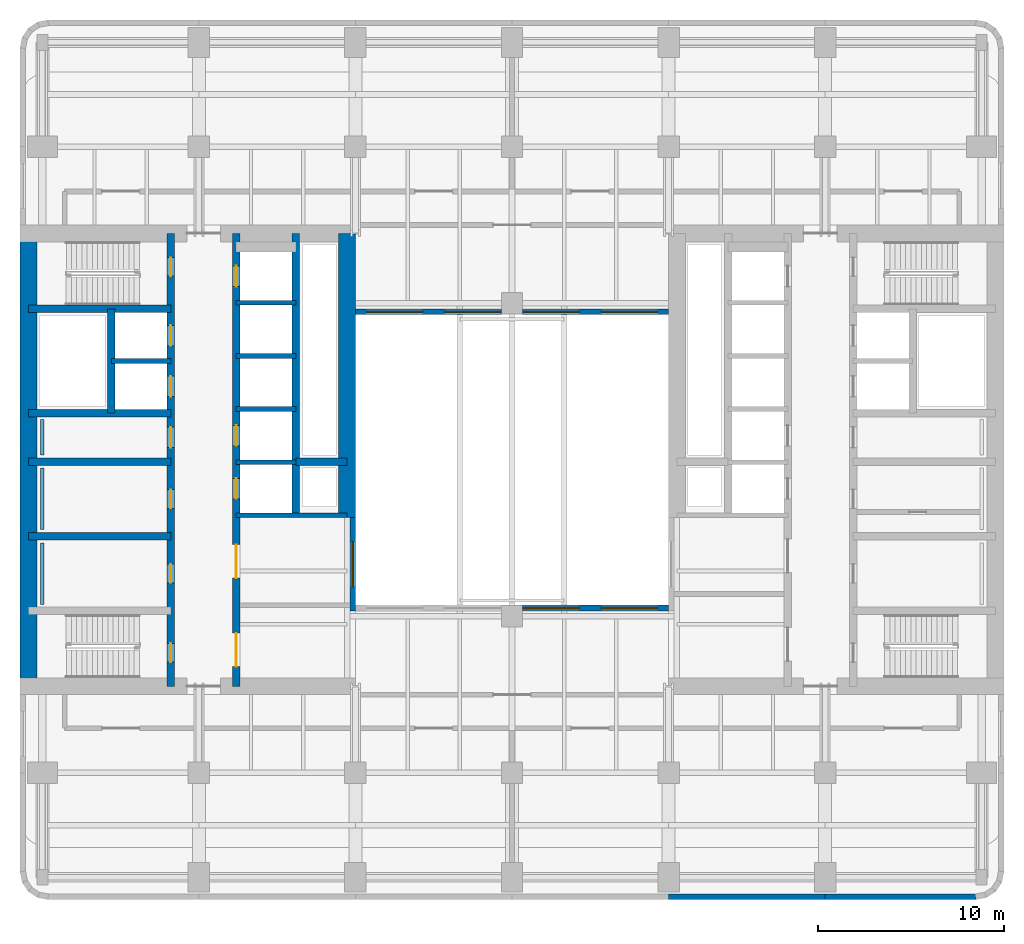
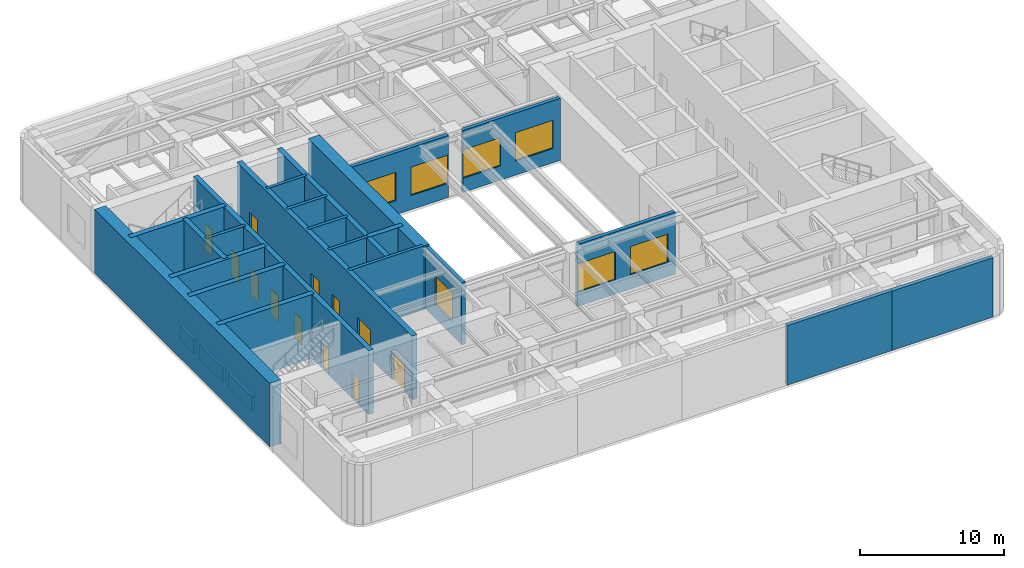
# One storey, part 4 of 10: 26 walls, 12 doors, 7 windows, 19 openings.
"""IFC4 building model written with IfcOpenShell, lengths in metres."""

from ifc_helpers import new_model, si_unit, direction, frame, frame_2d, origin, place, context, subcontext, project, spatial, rectangle, extrude, material, layer, layer_set, type_object, element, fill, save


model = new_model("IFC4")

# Units and contexts
model_context = context("Model", 3, precision=1e-05, world=origin(), true_north=direction((0.0, 1.0)))
body_context = subcontext(model_context, "Body", "Model", "MODEL_VIEW")
ifc_project = project(units=[si_unit("LENGTHUNIT", "METRE"), si_unit("AREAUNIT", "SQUARE_METRE"), si_unit("VOLUMEUNIT", "CUBIC_METRE"), si_unit("PLANEANGLEUNIT", "RADIAN"), si_unit("MASSUNIT", "GRAM", prefix="KILO")], contexts=[model_context])

# Site, building, storey
site_placement = place(None, origin())
site = spatial("IfcSite", under=ifc_project, at=site_placement, CompositionType="ELEMENT")
building_placement = place(site_placement, origin())
building = spatial("IfcBuilding", under=site, at=building_placement, Name="Claustro Exchange Tower", CompositionType="ELEMENT")
storey_placement = place(building_placement, frame((0.0, 0.0, 168.0)))
storey = spatial("IfcBuildingStorey", under=building, at=storey_placement, Name="L38", CompositionType="ELEMENT", Elevation=168.0)

# Walls
ifc_material_1 = material(Name="Concrete HA-40 (C40/50), precast, white cement, acid-etched", Category="concrete")
ifc_layer_1 = layer(ifc_material_1, 0.300048828125)
ifc_layer_set_1 = layer_set([ifc_layer_1], Name="Concrete HA-40 (C40/50), precast, white cement, acid-etched")
wall_type_1 = type_object("IfcWallType", Name="PC1 300 precast concrete pier panel", PredefinedType="SOLIDWALL", material=ifc_layer_set_1)
wall_1_placement = place(storey_placement, frame((50.085205078125, 1.75, 0.0), z_axis=(0.0, 0.0, 1.0), x_axis=(-1.0, 0.0, 0.0)))
element("IfcWall", 1, at=wall_1_placement, inside=storey, type_object=wall_type_1, Name="Precast pier panel PC1 L38", PredefinedType="SOLIDWALL", context=body_context, shape_type="SweptSolid", body=[
    extrude(rectangle(XDim=8.085205078125, YDim=0.300048828125, at=frame_2d((4.04248046875, 0.0))), origin(), (0.0, 0.0, 1.0), 5.0400390625),
])
wall_2_placement = place(storey_placement, frame((42.0, 1.75, 0.0), z_axis=(0.0, 0.0, 1.0), x_axis=(-1.0, 0.0, 0.0)))
element("IfcWall", 2, at=wall_2_placement, inside=storey, type_object=wall_type_1, Name="Precast pier panel PC1 L38", PredefinedType="SOLIDWALL", context=body_context, shape_type="SweptSolid", body=[
    extrude(rectangle(XDim=8.39990234375, YDim=0.300048828125, at=frame_2d((4.199951171875, 0.0))), origin(), (0.0, 0.0, 1.0), 5.0400390625),
])

# Wall, opening, window
wall_3_placement = place(storey_placement, frame((16.64990234375, 17.10009765625, 0.0), z_axis=(0.0, 0.0, 1.0), x_axis=(0.0, 1.0, 0.0)))
wall_3 = element("IfcWall", 3, at=wall_3_placement, inside=storey, type_object=wall_type_1, Name="Precast pier panel PC1 L38", PredefinedType="SOLIDWALL", context=body_context, shape_type="SweptSolid", body=[
    extrude(rectangle(XDim=5.0, YDim=0.300048828125, at=frame_2d((2.5, 0.0))), origin(), (0.0, 0.0, 1.0), 5.25),
])
opening_1_placement = place(wall_3_placement, frame((1.300048828125, 0.0, 1.199951171875)))
opening_1 = element("IfcOpeningElement", 4, at=opening_1_placement, cuts=wall_3, Name="Opening L2", PredefinedType="OPENING", context=body_context, shape_type="SweptSolid", body=[
    extrude(rectangle(XDim=2.39990234375, YDim=2.39990234375, at=frame_2d((1.199951171875, 1.199951171875))), frame((0.0, 0.159912109375, 0.0), z_axis=(0.0, -1.0, 0.0), x_axis=(1.0, 0.0, 0.0)), (0.0, 0.0, 1.0), 0.320068359375),
])
ifc_material_2 = material(Name="Aluminium louvre blades", Category="aluminium")
window_type_1 = type_object("IfcWindowType", Name="L2 2400 x 2400 plant louvre", PartitioningType="SINGLE_PANEL", PredefinedType="USERDEFINED", material=ifc_material_2)
window_1_placement = place(opening_1_placement, origin())
window_1 = element("IfcWindow", 5, at=window_1_placement, inside=storey, type_object=window_type_1, Name="Plant louvre L2 L38", ObjectType="LOUVRE", OverallHeight=2.39990234375, OverallWidth=2.39990234375, PartitioningType="SINGLE_PANEL", PredefinedType="USERDEFINED", context=body_context, shape_type="SweptSolid", body=[
    extrude(rectangle(XDim=2.39990234375, YDim=2.39990234375, at=frame_2d((1.199951171875, 1.199951171875))), frame((0.0, 0.030029296875, 0.0), z_axis=(0.0, -1.0, 0.0), x_axis=(1.0, 0.0, 0.0)), (0.0, 0.0, 1.0), 0.06005859375),
])
fill(opening_1, window_1)

# Wall, openings, windows
wall_4_placement = place(storey_placement, frame((25.77490234375, 17.25, 0.0), z_axis=(0.0, 0.0, 1.0), x_axis=(1.0, 0.0, 0.0)))
wall_4 = element("IfcWall", 6, at=wall_4_placement, inside=storey, type_object=wall_type_1, Name="Precast pier panel PC1 L38", PredefinedType="SOLIDWALL", context=body_context, shape_type="SweptSolid", body=[
    extrude(rectangle(XDim=7.8251953125, YDim=0.300048828125, at=frame_2d((3.91259765625, 0.0))), origin(), (0.0, 0.0, 1.0), 5.25),
])
opening_2_placement = place(wall_4_placement, frame((0.02490234375, 0.0, 1.199951171875)))
opening_2 = element("IfcOpeningElement", 7, at=opening_2_placement, cuts=wall_4, Name="Opening L1", PredefinedType="OPENING", context=body_context, shape_type="SweptSolid", body=[
    extrude(rectangle(XDim=3.0, YDim=2.39990234375, at=frame_2d((1.5, 1.199951171875))), frame((0.0, 0.159912109375, 0.0), z_axis=(0.0, -1.0, 0.0), x_axis=(1.0, 0.0, 0.0)), (0.0, 0.0, 1.0), 0.320068359375),
])
opening_3_placement = place(wall_4_placement, frame((4.22509765625, 0.0, 1.199951171875)))
opening_3 = element("IfcOpeningElement", 8, at=opening_3_placement, cuts=wall_4, Name="Opening L1", PredefinedType="OPENING", context=body_context, shape_type="SweptSolid", body=[
    extrude(rectangle(XDim=3.0, YDim=2.39990234375, at=frame_2d((1.5, 1.199951171875))), frame((0.0, 0.159912109375, 0.0), z_axis=(0.0, -1.0, 0.0), x_axis=(1.0, 0.0, 0.0)), (0.0, 0.0, 1.0), 0.320068359375),
])
ifc_material_3 = material(Name="Aluminium louvre blades", Category="aluminium")
window_type_2 = type_object("IfcWindowType", Name="L1 3000 x 2400 plant louvre", PartitioningType="SINGLE_PANEL", PredefinedType="USERDEFINED", material=ifc_material_3)
window_2_placement = place(opening_2_placement, origin())
window_2 = element("IfcWindow", 9, at=window_2_placement, inside=storey, type_object=window_type_2, Name="Plant louvre L1 L38", ObjectType="LOUVRE", OverallHeight=2.39990234375, OverallWidth=3.0, PartitioningType="SINGLE_PANEL", PredefinedType="USERDEFINED", context=body_context, shape_type="SweptSolid", body=[
    extrude(rectangle(XDim=3.0, YDim=2.39990234375, at=frame_2d((1.5, 1.199951171875))), frame((0.0, 0.030029296875, 0.0), z_axis=(0.0, -1.0, 0.0), x_axis=(1.0, 0.0, 0.0)), (0.0, 0.0, 1.0), 0.06005859375),
])
fill(opening_2, window_2)
window_3_placement = place(opening_3_placement, origin())
window_3 = element("IfcWindow", 10, at=window_3_placement, inside=storey, type_object=window_type_2, Name="Plant louvre L1 L38", ObjectType="LOUVRE", OverallHeight=2.39990234375, OverallWidth=3.0, PartitioningType="SINGLE_PANEL", PredefinedType="USERDEFINED", context=body_context, shape_type="SweptSolid", body=[
    extrude(rectangle(XDim=3.0, YDim=2.39990234375, at=frame_2d((1.5, 1.199951171875))), frame((0.0, 0.030029296875, 0.0), z_axis=(0.0, -1.0, 0.0), x_axis=(1.0, 0.0, 0.0)), (0.0, 0.0, 1.0), 0.06005859375),
])
fill(opening_3, window_3)

wall_5_placement = place(storey_placement, frame((16.800048828125, 33.14990234375, 0.0), z_axis=(0.0, 0.0, 1.0), x_axis=(1.0, 0.0, 0.0)))
wall_5 = element("IfcWall", 11, at=wall_5_placement, inside=storey, type_object=wall_type_1, Name="Precast pier panel PC1 L38", PredefinedType="SOLIDWALL", context=body_context, shape_type="SweptSolid", body=[
    extrude(rectangle(XDim=7.824951171875, YDim=0.300048828125, at=frame_2d((3.91259765625, 0.0))), origin(), (0.0, 0.0, 1.0), 5.25),
])
opening_4_placement = place(wall_5_placement, frame((0.60009765625, 0.0, 1.199951171875)))
opening_4 = element("IfcOpeningElement", 12, at=opening_4_placement, cuts=wall_5, Name="Opening L1", PredefinedType="OPENING", context=body_context, shape_type="SweptSolid", body=[
    extrude(rectangle(XDim=3.0, YDim=2.39990234375, at=frame_2d((1.5, 1.199951171875))), frame((0.0, 0.159912109375, 0.0), z_axis=(0.0, -1.0, 0.0), x_axis=(1.0, 0.0, 0.0)), (0.0, 0.0, 1.0), 0.320068359375),
])
opening_5_placement = place(wall_5_placement, frame((4.800048828125, 0.0, 1.199951171875)))
opening_5 = element("IfcOpeningElement", 13, at=opening_5_placement, cuts=wall_5, Name="Opening L1", PredefinedType="OPENING", context=body_context, shape_type="SweptSolid", body=[
    extrude(rectangle(XDim=3.0, YDim=2.39990234375, at=frame_2d((1.5, 1.199951171875))), frame((0.0, 0.159912109375, 0.0), z_axis=(0.0, -1.0, 0.0), x_axis=(1.0, 0.0, 0.0)), (0.0, 0.0, 1.0), 0.320068359375),
])
window_4_placement = place(opening_4_placement, origin())
window_4 = element("IfcWindow", 14, at=window_4_placement, inside=storey, type_object=window_type_2, Name="Plant louvre L1 L38", ObjectType="LOUVRE", OverallHeight=2.39990234375, OverallWidth=3.0, PartitioningType="SINGLE_PANEL", PredefinedType="USERDEFINED", context=body_context, shape_type="SweptSolid", body=[
    extrude(rectangle(XDim=3.0, YDim=2.39990234375, at=frame_2d((1.5, 1.199951171875))), frame((0.0, 0.030029296875, 0.0), z_axis=(0.0, -1.0, 0.0), x_axis=(1.0, 0.0, 0.0)), (0.0, 0.0, 1.0), 0.06005859375),
])
fill(opening_4, window_4)
window_5_placement = place(opening_5_placement, origin())
window_5 = element("IfcWindow", 15, at=window_5_placement, inside=storey, type_object=window_type_2, Name="Plant louvre L1 L38", ObjectType="LOUVRE", OverallHeight=2.39990234375, OverallWidth=3.0, PartitioningType="SINGLE_PANEL", PredefinedType="USERDEFINED", context=body_context, shape_type="SweptSolid", body=[
    extrude(rectangle(XDim=3.0, YDim=2.39990234375, at=frame_2d((1.5, 1.199951171875))), frame((0.0, 0.030029296875, 0.0), z_axis=(0.0, -1.0, 0.0), x_axis=(1.0, 0.0, 0.0)), (0.0, 0.0, 1.0), 0.06005859375),
])
fill(opening_5, window_5)

wall_6_placement = place(storey_placement, frame((25.77490234375, 33.14990234375, 0.0), z_axis=(0.0, 0.0, 1.0), x_axis=(1.0, 0.0, 0.0)))
wall_6 = element("IfcWall", 16, at=wall_6_placement, inside=storey, type_object=wall_type_1, Name="Precast pier panel PC1 L38", PredefinedType="SOLIDWALL", context=body_context, shape_type="SweptSolid", body=[
    extrude(rectangle(XDim=7.8251953125, YDim=0.300048828125, at=frame_2d((3.91259765625, 0.0))), origin(), (0.0, 0.0, 1.0), 5.25),
])
opening_6_placement = place(wall_6_placement, frame((0.02490234375, 0.0, 1.199951171875)))
opening_6 = element("IfcOpeningElement", 17, at=opening_6_placement, cuts=wall_6, Name="Opening L1", PredefinedType="OPENING", context=body_context, shape_type="SweptSolid", body=[
    extrude(rectangle(XDim=3.0, YDim=2.39990234375, at=frame_2d((1.5, 1.199951171875))), frame((0.0, 0.159912109375, 0.0), z_axis=(0.0, -1.0, 0.0), x_axis=(1.0, 0.0, 0.0)), (0.0, 0.0, 1.0), 0.320068359375),
])
opening_7_placement = place(wall_6_placement, frame((4.22509765625, 0.0, 1.199951171875)))
opening_7 = element("IfcOpeningElement", 18, at=opening_7_placement, cuts=wall_6, Name="Opening L1", PredefinedType="OPENING", context=body_context, shape_type="SweptSolid", body=[
    extrude(rectangle(XDim=3.0, YDim=2.39990234375, at=frame_2d((1.5, 1.199951171875))), frame((0.0, 0.159912109375, 0.0), z_axis=(0.0, -1.0, 0.0), x_axis=(1.0, 0.0, 0.0)), (0.0, 0.0, 1.0), 0.320068359375),
])
window_6_placement = place(opening_6_placement, origin())
window_6 = element("IfcWindow", 19, at=window_6_placement, inside=storey, type_object=window_type_2, Name="Plant louvre L1 L38", ObjectType="LOUVRE", OverallHeight=2.39990234375, OverallWidth=3.0, PartitioningType="SINGLE_PANEL", PredefinedType="USERDEFINED", context=body_context, shape_type="SweptSolid", body=[
    extrude(rectangle(XDim=3.0, YDim=2.39990234375, at=frame_2d((1.5, 1.199951171875))), frame((0.0, 0.030029296875, 0.0), z_axis=(0.0, -1.0, 0.0), x_axis=(1.0, 0.0, 0.0)), (0.0, 0.0, 1.0), 0.06005859375),
])
fill(opening_6, window_6)
window_7_placement = place(opening_7_placement, origin())
window_7 = element("IfcWindow", 20, at=window_7_placement, inside=storey, type_object=window_type_2, Name="Plant louvre L1 L38", ObjectType="LOUVRE", OverallHeight=2.39990234375, OverallWidth=3.0, PartitioningType="SINGLE_PANEL", PredefinedType="USERDEFINED", context=body_context, shape_type="SweptSolid", body=[
    extrude(rectangle(XDim=3.0, YDim=2.39990234375, at=frame_2d((1.5, 1.199951171875))), frame((0.0, 0.030029296875, 0.0), z_axis=(0.0, -1.0, 0.0), x_axis=(1.0, 0.0, 0.0)), (0.0, 0.0, 1.0), 0.06005859375),
])
fill(opening_7, window_7)

# Walls
ifc_material_4 = material(Name="Gypsum board on steel studs, tiled", Category="steel")
ifc_layer_2 = layer(ifc_material_4, 0.199951171875)
ifc_layer_set_2 = layer_set([ifc_layer_2], Name="Gypsum board on steel studs, tiled")
wall_type_2 = type_object("IfcWallType", Name="PW1 200 WC duct wall", PredefinedType="PLUMBINGWALL", material=ifc_layer_set_2)
for number, where, z_axis, x_axis, name in (
    (21, (0.0, 17.449951171875, 0.0), (0.0, 0.0, 1.0), (0.0, 1.0, 0.0), "WC duct wall PW1 L38"),
    (22, (0.0, 21.449951171875, 0.0), (0.0, 0.0, 1.0), (0.0, 1.0, 0.0), "WC duct wall PW1 L38"),
):
    element("IfcWall", number, at=place(storey_placement, frame(where, z_axis=z_axis, x_axis=x_axis)), inside=storey, type_object=wall_type_2, Name=name, PredefinedType="PLUMBINGWALL", context=body_context, shape_type="SweptSolid", body=[
        extrude(rectangle(XDim=3.300048828125, YDim=0.199951171875, at=frame_2d((1.64990234375, 0.0))), origin(), (0.0, 0.0, 1.0), 1.199951171875),
    ])
wall_7_placement = place(storey_placement, frame((0.0, 25.449951171875, 0.0), z_axis=(0.0, 0.0, 1.0), x_axis=(0.0, 1.0, 0.0)))
element("IfcWall", 23, at=wall_7_placement, inside=storey, type_object=wall_type_2, Name="WC duct wall PW1 L38", PredefinedType="PLUMBINGWALL", context=body_context, shape_type="SweptSolid", body=[
    extrude(rectangle(XDim=1.900146484375, YDim=0.199951171875, at=frame_2d((0.9501953125, 0.0))), origin(), (0.0, 0.0, 1.0), 1.199951171875),
])
ifc_material_5 = material(Name="Concrete HA-70 (C70/85)", Category="concrete")
ifc_layer_3 = layer(ifc_material_5, 0.89990234375)
ifc_layer_set_3 = layer_set([ifc_layer_3], Name="Concrete HA-70 (C70/85)")
wall_type_3 = type_object("IfcWallType", Name="SW1X 900 exposed core shear wall, board-marked face", PredefinedType="SHEAR", material=ifc_layer_set_3)
wall_8_placement = place(storey_placement, frame((-0.75, 13.050048828125, 0.0), z_axis=(0.0, 0.0, 1.0), x_axis=(0.0, 1.0, 0.0)))
element("IfcWall", 24, at=wall_8_placement, inside=storey, type_object=wall_type_3, Name="Core wall SW1X W core W face L38", PredefinedType="SHEAR", context=body_context, shape_type="SweptSolid", body=[
    extrude(rectangle(XDim=24.300048828125, YDim=0.89990234375, at=frame_2d((12.14990234375, 0.0))), origin(), (0.0, 0.0, 1.0), 5.39990234375),
])
wall_9_placement = place(storey_placement, frame((16.35009765625, 22.10009765625, 0.0), z_axis=(0.0, 0.0, 1.0), x_axis=(0.0, 1.0, 0.0)))
element("IfcWall", 25, at=wall_9_placement, inside=storey, type_object=wall_type_3, Name="Core wall SW1X W core E face L38", PredefinedType="SHEAR", context=body_context, shape_type="SweptSolid", body=[
    extrude(rectangle(XDim=15.25, YDim=0.89990234375, at=frame_2d((7.625, 0.0))), origin(), (0.0, 0.0, 1.0), 5.39990234375),
])

# Wall, openings, doors
ifc_material_6 = material(Name="Concrete HA-50 (C50/60)", Category="concrete")
ifc_layer_4 = layer(ifc_material_6, 0.39990234375)
ifc_layer_set_4 = layer_set([ifc_layer_4], Name="Concrete HA-50 (C50/60)")
wall_type_4 = type_object("IfcWallType", Name="SW4 400 internal core wall", PredefinedType="SHEAR", material=ifc_layer_set_4)
wall_10_placement = place(storey_placement, frame((6.89990234375, 13.050048828125, 0.0), z_axis=(0.0, 0.0, 1.0), x_axis=(0.0, 1.0, 0.0)))
wall_10 = element("IfcWall", 26, at=wall_10_placement, inside=storey, type_object=wall_type_4, Name="Internal core wall SW4 W core L38", PredefinedType="SHEAR", context=body_context, shape_type="SweptSolid", body=[
    extrude(rectangle(XDim=24.300048828125, YDim=0.39990234375, at=frame_2d((12.14990234375, 0.0))), origin(), (0.0, 0.0, 1.0), 5.39990234375),
])
opening_8_placement = place(wall_10_placement, frame((1.300048828125, 0.0, 0.0)))
opening_8 = element("IfcOpeningElement", 27, at=opening_8_placement, cuts=wall_10, Name="Opening D4", PredefinedType="OPENING", context=body_context, shape_type="SweptSolid", body=[
    extrude(rectangle(XDim=1.0, YDim=2.199951171875, at=frame_2d((0.5, 1.10009765625))), frame((0.0, 0.2099609375, 0.0), z_axis=(0.0, -1.0, 0.0), x_axis=(1.0, 0.0, 0.0)), (0.0, 0.0, 1.0), 0.419921875),
])
opening_9_placement = place(wall_10_placement, frame((22.0, 0.0, 0.0)))
opening_9 = element("IfcOpeningElement", 28, at=opening_9_placement, cuts=wall_10, Name="Opening D4", PredefinedType="OPENING", context=body_context, shape_type="SweptSolid", body=[
    extrude(rectangle(XDim=1.0, YDim=2.199951171875, at=frame_2d((0.5, 1.10009765625))), frame((0.0, 0.2099609375, 0.0), z_axis=(0.0, -1.0, 0.0), x_axis=(1.0, 0.0, 0.0)), (0.0, 0.0, 1.0), 0.419921875),
])
opening_10_placement = place(wall_10_placement, frame((5.550048828125, 0.0, 0.0)))
opening_10 = element("IfcOpeningElement", 29, at=opening_10_placement, cuts=wall_10, Name="Opening D1", PredefinedType="OPENING", context=body_context, shape_type="SweptSolid", body=[
    extrude(rectangle(XDim=1.0, YDim=2.199951171875, at=frame_2d((0.5, 1.10009765625))), frame((0.0, 0.2099609375, 0.0), z_axis=(0.0, -1.0, 0.0), x_axis=(1.0, 0.0, 0.0)), (0.0, 0.0, 1.0), 0.419921875),
])
opening_11_placement = place(wall_10_placement, frame((9.550048828125, 0.0, 0.0)))
opening_11 = element("IfcOpeningElement", 30, at=opening_11_placement, cuts=wall_10, Name="Opening D1", PredefinedType="OPENING", context=body_context, shape_type="SweptSolid", body=[
    extrude(rectangle(XDim=1.0, YDim=2.199951171875, at=frame_2d((0.5, 1.10009765625))), frame((0.0, 0.2099609375, 0.0), z_axis=(0.0, -1.0, 0.0), x_axis=(1.0, 0.0, 0.0)), (0.0, 0.0, 1.0), 0.419921875),
])
opening_12_placement = place(wall_10_placement, frame((12.800048828125, 0.0, 0.0)))
opening_12 = element("IfcOpeningElement", 31, at=opening_12_placement, cuts=wall_10, Name="Opening D10", PredefinedType="OPENING", context=body_context, shape_type="SweptSolid", body=[
    extrude(rectangle(XDim=1.10009765625, YDim=2.199951171875, at=frame_2d((0.550048828125, 1.10009765625))), frame((0.0, 0.2099609375, 0.0), z_axis=(0.0, -1.0, 0.0), x_axis=(1.0, 0.0, 0.0)), (0.0, 0.0, 1.0), 0.419921875),
])
opening_13_placement = place(wall_10_placement, frame((15.53759765625, 0.0, 0.0)))
opening_13 = element("IfcOpeningElement", 32, at=opening_13_placement, cuts=wall_10, Name="Opening LD", PredefinedType="OPENING", context=body_context, shape_type="SweptSolid", body=[
    extrude(rectangle(XDim=1.10009765625, YDim=2.199951171875, at=frame_2d((0.550048828125, 1.10009765625))), frame((0.0, 0.2099609375, 0.0), z_axis=(0.0, -1.0, 0.0), x_axis=(1.0, 0.0, 0.0)), (0.0, 0.0, 1.0), 0.419921875),
])
opening_14_placement = place(wall_10_placement, frame((18.262451171875, 0.0, 0.0)))
opening_14 = element("IfcOpeningElement", 33, at=opening_14_placement, cuts=wall_10, Name="Opening LD", PredefinedType="OPENING", context=body_context, shape_type="SweptSolid", body=[
    extrude(rectangle(XDim=1.10009765625, YDim=2.199951171875, at=frame_2d((0.550048828125, 1.10009765625))), frame((0.0, 0.2099609375, 0.0), z_axis=(0.0, -1.0, 0.0), x_axis=(1.0, 0.0, 0.0)), (0.0, 0.0, 1.0), 0.419921875),
])
ifc_material_7 = material(Name="Timber door, oak veneer", Category="wood")
door_type_1 = type_object("IfcDoorType", Name="D1 1000 x 2200 single door", OperationType="SINGLE_SWING_LEFT", PredefinedType="DOOR", material=ifc_material_7)
door_1_placement = place(opening_10_placement, origin())
door_1 = element("IfcDoor", 34, at=door_1_placement, inside=storey, type_object=door_type_1, Name="Door D1 L38", OperationType="SINGLE_SWING_RIGHT", OverallHeight=2.199951171875, OverallWidth=1.0, PredefinedType="DOOR", context=body_context, shape_type="SweptSolid", body=[
    extrude(rectangle(XDim=1.0, YDim=2.199951171875, at=frame_2d((0.5, 1.10009765625))), frame((0.0, 0.02490234375, 0.0), z_axis=(0.0, -1.0, 0.0), x_axis=(1.0, 0.0, 0.0)), (0.0, 0.0, 1.0), 0.050048828125),
])
fill(opening_10, door_1)
door_2_placement = place(opening_11_placement, origin())
door_2 = element("IfcDoor", 35, at=door_2_placement, inside=storey, type_object=door_type_1, Name="Door D1 L38", OperationType="SINGLE_SWING_RIGHT", OverallHeight=2.199951171875, OverallWidth=1.0, PredefinedType="DOOR", context=body_context, shape_type="SweptSolid", body=[
    extrude(rectangle(XDim=1.0, YDim=2.199951171875, at=frame_2d((0.5, 1.10009765625))), frame((0.0, 0.02490234375, 0.0), z_axis=(0.0, -1.0, 0.0), x_axis=(1.0, 0.0, 0.0)), (0.0, 0.0, 1.0), 0.050048828125),
])
fill(opening_11, door_2)
ifc_material_8 = material(Name="Timber door, oak veneer", Category="wood")
door_type_2 = type_object("IfcDoorType", Name="D10 1100 x 2200 accessible WC door", OperationType="SINGLE_SWING_LEFT", PredefinedType="DOOR", material=ifc_material_8)
door_3_placement = place(opening_12_placement, frame((1.10009765625, 0.0, 0.0), z_axis=(0.0, 0.0, 1.0), x_axis=(-1.0, 0.0, 0.0)))
door_3 = element("IfcDoor", 36, at=door_3_placement, inside=storey, type_object=door_type_2, Name="Accessible WC door D10 L38", OperationType="SINGLE_SWING_LEFT", OverallHeight=2.199951171875, OverallWidth=1.10009765625, PredefinedType="DOOR", context=body_context, shape_type="SweptSolid", body=[
    extrude(rectangle(XDim=1.10009765625, YDim=2.199951171875, at=frame_2d((0.550048828125, 1.10009765625))), frame((0.0, 0.02490234375, 0.0), z_axis=(0.0, -1.0, 0.0), x_axis=(1.0, 0.0, 0.0)), (0.0, 0.0, 1.0), 0.050048828125),
])
fill(opening_12, door_3)
ifc_material_9 = material(Name="Steel fire door, painted", Category="steel")
door_type_3 = type_object("IfcDoorType", Name="D4 1000 x 2200 fire-rated stair door", OperationType="SINGLE_SWING_LEFT", PredefinedType="DOOR", material=ifc_material_9)
door_4_placement = place(opening_8_placement, origin())
door_4 = element("IfcDoor", 37, at=door_4_placement, inside=storey, type_object=door_type_3, Name="Stair door D4 L38", OperationType="SINGLE_SWING_LEFT", OverallHeight=2.199951171875, OverallWidth=1.0, PredefinedType="DOOR", context=body_context, shape_type="SweptSolid", body=[
    extrude(rectangle(XDim=1.0, YDim=2.199951171875, at=frame_2d((0.5, 1.10009765625))), frame((0.0, 0.02490234375, 0.0), z_axis=(0.0, -1.0, 0.0), x_axis=(1.0, 0.0, 0.0)), (0.0, 0.0, 1.0), 0.050048828125),
])
fill(opening_8, door_4)
door_5_placement = place(opening_9_placement, origin())
door_5 = element("IfcDoor", 38, at=door_5_placement, inside=storey, type_object=door_type_3, Name="Stair door D4 L38", OperationType="SINGLE_SWING_RIGHT", OverallHeight=2.199951171875, OverallWidth=1.0, PredefinedType="DOOR", context=body_context, shape_type="SweptSolid", body=[
    extrude(rectangle(XDim=1.0, YDim=2.199951171875, at=frame_2d((0.5, 1.10009765625))), frame((0.0, 0.02490234375, 0.0), z_axis=(0.0, -1.0, 0.0), x_axis=(1.0, 0.0, 0.0)), (0.0, 0.0, 1.0), 0.050048828125),
])
fill(opening_9, door_5)
ifc_material_10 = material(Name="Stainless steel sliding door", Category="steel")
door_type_4 = type_object("IfcDoorType", Name="LD 1100 x 2200 lift landing door", OperationType="DOUBLE_DOOR_SLIDING", PredefinedType="DOOR", material=ifc_material_10)
door_6_placement = place(opening_13_placement, origin())
door_6 = element("IfcDoor", 39, at=door_6_placement, inside=storey, type_object=door_type_4, Name="Lift landing door LEW1 LD L38", OperationType="DOUBLE_DOOR_SLIDING", OverallHeight=2.199951171875, OverallWidth=1.10009765625, PredefinedType="DOOR", context=body_context, shape_type="SweptSolid", body=[
    extrude(rectangle(XDim=1.10009765625, YDim=2.199951171875, at=frame_2d((0.550048828125, 1.10009765625))), frame((0.0, 0.02490234375, 0.0), z_axis=(0.0, -1.0, 0.0), x_axis=(1.0, 0.0, 0.0)), (0.0, 0.0, 1.0), 0.050048828125),
])
fill(opening_13, door_6)
door_7_placement = place(opening_14_placement, origin())
door_7 = element("IfcDoor", 40, at=door_7_placement, inside=storey, type_object=door_type_4, Name="Lift landing door LEW2 LD L38", OperationType="DOUBLE_DOOR_SLIDING", OverallHeight=2.199951171875, OverallWidth=1.10009765625, PredefinedType="DOOR", context=body_context, shape_type="SweptSolid", body=[
    extrude(rectangle(XDim=1.10009765625, YDim=2.199951171875, at=frame_2d((0.550048828125, 1.10009765625))), frame((0.0, 0.02490234375, 0.0), z_axis=(0.0, -1.0, 0.0), x_axis=(1.0, 0.0, 0.0)), (0.0, 0.0, 1.0), 0.050048828125),
])
fill(opening_14, door_7)

wall_11_placement = place(storey_placement, frame((10.39990234375, 13.050048828125, 0.0), z_axis=(0.0, 0.0, 1.0), x_axis=(0.0, 1.0, 0.0)))
wall_11 = element("IfcWall", 41, at=wall_11_placement, inside=storey, type_object=wall_type_4, Name="Internal core wall SW4 W core L38", PredefinedType="SHEAR", context=body_context, shape_type="SweptSolid", body=[
    extrude(rectangle(XDim=24.300048828125, YDim=0.39990234375, at=frame_2d((12.14990234375, 0.0))), origin(), (0.0, 0.0, 1.0), 5.39990234375),
])
opening_15_placement = place(wall_11_placement, frame((10.050048828125, 0.0, 0.0)))
opening_15 = element("IfcOpeningElement", 42, at=opening_15_placement, cuts=wall_11, Name="Opening LD", PredefinedType="OPENING", context=body_context, shape_type="SweptSolid", body=[
    extrude(rectangle(XDim=1.10009765625, YDim=2.199951171875, at=frame_2d((0.550048828125, 1.10009765625))), frame((0.0, 0.2099609375, 0.0), z_axis=(0.0, -1.0, 0.0), x_axis=(1.0, 0.0, 0.0)), (0.0, 0.0, 1.0), 0.419921875),
])
opening_16_placement = place(wall_11_placement, frame((12.89990234375, 0.0, 0.0)))
opening_16 = element("IfcOpeningElement", 43, at=opening_16_placement, cuts=wall_11, Name="Opening LD", PredefinedType="OPENING", context=body_context, shape_type="SweptSolid", body=[
    extrude(rectangle(XDim=1.10009765625, YDim=2.199951171875, at=frame_2d((0.550048828125, 1.10009765625))), frame((0.0, 0.2099609375, 0.0), z_axis=(0.0, -1.0, 0.0), x_axis=(1.0, 0.0, 0.0)), (0.0, 0.0, 1.0), 0.419921875),
])
opening_17_placement = place(wall_11_placement, frame((21.449951171875, 0.0, 0.0)))
opening_17 = element("IfcOpeningElement", 44, at=opening_17_placement, cuts=wall_11, Name="Opening LD", PredefinedType="OPENING", context=body_context, shape_type="SweptSolid", body=[
    extrude(rectangle(XDim=1.10009765625, YDim=2.199951171875, at=frame_2d((0.550048828125, 1.10009765625))), frame((0.0, 0.2099609375, 0.0), z_axis=(0.0, -1.0, 0.0), x_axis=(1.0, 0.0, 0.0)), (0.0, 0.0, 1.0), 0.419921875),
])
opening_18_placement = place(wall_11_placement, frame((5.800048828125, 0.0, 0.0)))
opening_18 = element("IfcOpeningElement", 45, at=opening_18_placement, cuts=wall_11, Name="Opening D3", PredefinedType="OPENING", context=body_context, shape_type="SweptSolid", body=[
    extrude(rectangle(XDim=1.800048828125, YDim=2.39990234375, at=frame_2d((0.89990234375, 1.199951171875))), frame((0.0, 0.2099609375, 0.0), z_axis=(0.0, -1.0, 0.0), x_axis=(1.0, 0.0, 0.0)), (0.0, 0.0, 1.0), 0.419921875),
])
opening_19_placement = place(wall_11_placement, frame((1.050048828125, 0.0, 0.0)))
opening_19 = element("IfcOpeningElement", 46, at=opening_19_placement, cuts=wall_11, Name="Opening D3", PredefinedType="OPENING", context=body_context, shape_type="SweptSolid", body=[
    extrude(rectangle(XDim=1.800048828125, YDim=2.39990234375, at=frame_2d((0.89990234375, 1.199951171875))), frame((0.0, 0.2099609375, 0.0), z_axis=(0.0, -1.0, 0.0), x_axis=(1.0, 0.0, 0.0)), (0.0, 0.0, 1.0), 0.419921875),
])
ifc_material_11 = material(Name="Steel fire door, painted", Category="steel")
door_type_5 = type_object("IfcDoorType", Name="D3 1800 x 2400 fire-rated lobby double door", OperationType="DOUBLE_DOOR_SINGLE_SWING", PredefinedType="DOOR", material=ifc_material_11)
door_8_placement = place(opening_18_placement, frame((1.800048828125, 0.0, 0.0), z_axis=(0.0, 0.0, 1.0), x_axis=(-1.0, 0.0, 0.0)))
door_8 = element("IfcDoor", 47, at=door_8_placement, inside=storey, type_object=door_type_5, Name="Core zone door D3 L38", OperationType="DOUBLE_DOOR_SINGLE_SWING", OverallHeight=2.39990234375, OverallWidth=1.800048828125, PredefinedType="DOOR", context=body_context, shape_type="SweptSolid", body=[
    extrude(rectangle(XDim=1.800048828125, YDim=2.39990234375, at=frame_2d((0.89990234375, 1.199951171875))), frame((0.0, 0.02490234375, 0.0), z_axis=(0.0, -1.0, 0.0), x_axis=(1.0, 0.0, 0.0)), (0.0, 0.0, 1.0), 0.050048828125),
])
fill(opening_18, door_8)
door_9_placement = place(opening_19_placement, frame((1.800048828125, 0.0, 0.0), z_axis=(0.0, 0.0, 1.0), x_axis=(-1.0, 0.0, 0.0)))
door_9 = element("IfcDoor", 48, at=door_9_placement, inside=storey, type_object=door_type_5, Name="Core zone door D3 L38", OperationType="DOUBLE_DOOR_SINGLE_SWING", OverallHeight=2.39990234375, OverallWidth=1.800048828125, PredefinedType="DOOR", context=body_context, shape_type="SweptSolid", body=[
    extrude(rectangle(XDim=1.800048828125, YDim=2.39990234375, at=frame_2d((0.89990234375, 1.199951171875))), frame((0.0, 0.02490234375, 0.0), z_axis=(0.0, -1.0, 0.0), x_axis=(1.0, 0.0, 0.0)), (0.0, 0.0, 1.0), 0.050048828125),
])
fill(opening_19, door_9)
door_10_placement = place(opening_15_placement, origin())
door_10 = element("IfcDoor", 49, at=door_10_placement, inside=storey, type_object=door_type_4, Name="Lift landing door LMW1 LD L38", OperationType="DOUBLE_DOOR_SLIDING", OverallHeight=2.199951171875, OverallWidth=1.10009765625, PredefinedType="DOOR", context=body_context, shape_type="SweptSolid", body=[
    extrude(rectangle(XDim=1.10009765625, YDim=2.199951171875, at=frame_2d((0.550048828125, 1.10009765625))), frame((0.0, 0.02490234375, 0.0), z_axis=(0.0, -1.0, 0.0), x_axis=(1.0, 0.0, 0.0)), (0.0, 0.0, 1.0), 0.050048828125),
])
fill(opening_15, door_10)
door_11_placement = place(opening_16_placement, origin())
door_11 = element("IfcDoor", 50, at=door_11_placement, inside=storey, type_object=door_type_4, Name="Lift landing door LMW2 LD L38", OperationType="DOUBLE_DOOR_SLIDING", OverallHeight=2.199951171875, OverallWidth=1.10009765625, PredefinedType="DOOR", context=body_context, shape_type="SweptSolid", body=[
    extrude(rectangle(XDim=1.10009765625, YDim=2.199951171875, at=frame_2d((0.550048828125, 1.10009765625))), frame((0.0, 0.02490234375, 0.0), z_axis=(0.0, -1.0, 0.0), x_axis=(1.0, 0.0, 0.0)), (0.0, 0.0, 1.0), 0.050048828125),
])
fill(opening_16, door_11)
door_12_placement = place(opening_17_placement, origin())
door_12 = element("IfcDoor", 51, at=door_12_placement, inside=storey, type_object=door_type_4, Name="Lift landing door LSW1 LD L38", OperationType="DOUBLE_DOOR_SLIDING", OverallHeight=2.199951171875, OverallWidth=1.10009765625, PredefinedType="DOOR", context=body_context, shape_type="SweptSolid", body=[
    extrude(rectangle(XDim=1.10009765625, YDim=2.199951171875, at=frame_2d((0.550048828125, 1.10009765625))), frame((0.0, 0.02490234375, 0.0), z_axis=(0.0, -1.0, 0.0), x_axis=(1.0, 0.0, 0.0)), (0.0, 0.0, 1.0), 0.050048828125),
])
fill(opening_17, door_12)

# Walls
wall_12_placement = place(storey_placement, frame((13.60009765625, 22.22509765625, 0.0), z_axis=(0.0, 0.0, 1.0), x_axis=(0.0, 1.0, 0.0)))
element("IfcWall", 52, at=wall_12_placement, inside=storey, type_object=wall_type_4, Name="Internal core wall SW4 W core L38", PredefinedType="SHEAR", context=body_context, shape_type="SweptSolid", body=[
    extrude(rectangle(XDim=15.125, YDim=0.39990234375, at=frame_2d((7.5625, 0.0))), origin(), (0.0, 0.0, 1.0), 5.39990234375),
])
for number, where, z_axis, x_axis, name in (
    (53, (-0.75, 21.10009765625, 0.0), (0.0, 0.0, 1.0), (1.0, 0.0, 0.0), "Internal core wall SW4 W core L38"),
    (54, (-0.75, 25.10009765625, 0.0), (0.0, 0.0, 1.0), (1.0, 0.0, 0.0), "Internal core wall SW4 W core L38"),
    (55, (-0.75, 27.699951171875, 0.0), (0.0, 0.0, 1.0), (1.0, 0.0, 0.0), "Internal core wall SW4 W core L38"),
    (56, (-0.75, 33.300048828125, 0.0), (0.0, 0.0, 1.0), (1.0, 0.0, 0.0), "Internal core wall SW4 W core L38"),
):
    element("IfcWall", number, at=place(storey_placement, frame(where, z_axis=z_axis, x_axis=x_axis)), inside=storey, type_object=wall_type_4, Name=name, PredefinedType="SHEAR", context=body_context, shape_type="SweptSolid", body=[
        extrude(rectangle(XDim=7.64990234375, YDim=0.39990234375, at=frame_2d((3.824951171875, 0.0))), origin(), (0.0, 0.0, 1.0), 5.39990234375),
    ])
wall_13_placement = place(storey_placement, frame((3.699951171875, 27.699951171875, 0.0), z_axis=(0.0, 0.0, 1.0), x_axis=(0.0, 1.0, 0.0)))
element("IfcWall", 57, at=wall_13_placement, inside=storey, type_object=wall_type_4, Name="Internal core wall SW4 W core L38", PredefinedType="SHEAR", context=body_context, shape_type="SweptSolid", body=[
    extrude(rectangle(XDim=5.60009765625, YDim=0.39990234375, at=frame_2d((2.800048828125, 0.0))), origin(), (0.0, 0.0, 1.0), 5.39990234375),
])
wall_14_placement = place(storey_placement, frame((13.60009765625, 25.10009765625, 0.0), z_axis=(0.0, 0.0, 1.0), x_axis=(1.0, 0.0, 0.0)))
element("IfcWall", 58, at=wall_14_placement, inside=storey, type_object=wall_type_4, Name="Internal core wall SW4 W core L38", PredefinedType="SHEAR", context=body_context, shape_type="SweptSolid", body=[
    extrude(rectangle(XDim=2.75, YDim=0.39990234375, at=frame_2d((1.375, 0.0))), origin(), (0.0, 0.0, 1.0), 5.39990234375),
])
ifc_material_12 = material(Name="Concrete HA-50 (C50/60)", Category="concrete")
ifc_layer_5 = layer(ifc_material_12, 0.25)
ifc_layer_set_5 = layer_set([ifc_layer_5], Name="Concrete HA-50 (C50/60)")
wall_type_5 = type_object("IfcWallType", Name="SW5 250 lift shaft divider wall", PredefinedType="SHEAR", material=ifc_layer_set_5)
wall_15_placement = place(storey_placement, frame((3.699951171875, 30.5, 0.0), z_axis=(0.0, 0.0, 1.0), x_axis=(1.0, 0.0, 0.0)))
element("IfcWall", 59, at=wall_15_placement, inside=storey, type_object=wall_type_5, Name="Lift shaft wall W core L38", PredefinedType="SHEAR", context=body_context, shape_type="SweptSolid", body=[
    extrude(rectangle(XDim=3.199951171875, YDim=0.25, at=frame_2d((1.60009765625, 0.0))), origin(), (0.0, 0.0, 1.0), 5.39990234375),
])
wall_16_placement = place(storey_placement, frame((10.39990234375, 22.22509765625, 0.0), z_axis=(0.0, 0.0, 1.0), x_axis=(1.0, 0.0, 0.0)))
element("IfcWall", 60, at=wall_16_placement, inside=storey, type_object=wall_type_5, Name="Core step wall W core L38", PredefinedType="SHEAR", context=body_context, shape_type="SweptSolid", body=[
    extrude(rectangle(XDim=5.9501953125, YDim=0.25, at=frame_2d((2.97509765625, 0.0))), origin(), (0.0, 0.0, 1.0), 5.39990234375),
])
for number, where, z_axis, x_axis, name in (
    (61, (10.39990234375, 25.074951171875, 0.0), (0.0, 0.0, 1.0), (1.0, 0.0, 0.0), "Lift shaft wall W core L38"),
    (62, (10.39990234375, 27.925048828125, 0.0), (0.0, 0.0, 1.0), (1.0, 0.0, 0.0), "Lift shaft wall W core L38"),
    (63, (10.39990234375, 30.77490234375, 0.0), (0.0, 0.0, 1.0), (1.0, 0.0, 0.0), "Lift shaft wall W core L38"),
    (64, (10.39990234375, 33.625, 0.0), (0.0, 0.0, 1.0), (1.0, 0.0, 0.0), "Lift shaft wall W core L38"),
):
    element("IfcWall", number, at=place(storey_placement, frame(where, z_axis=z_axis, x_axis=x_axis)), inside=storey, type_object=wall_type_5, Name=name, PredefinedType="SHEAR", context=body_context, shape_type="SweptSolid", body=[
        extrude(rectangle(XDim=3.2001953125, YDim=0.25, at=frame_2d((1.60009765625, 0.0))), origin(), (0.0, 0.0, 1.0), 5.39990234375),
    ])

save(model, "model.ifc")
